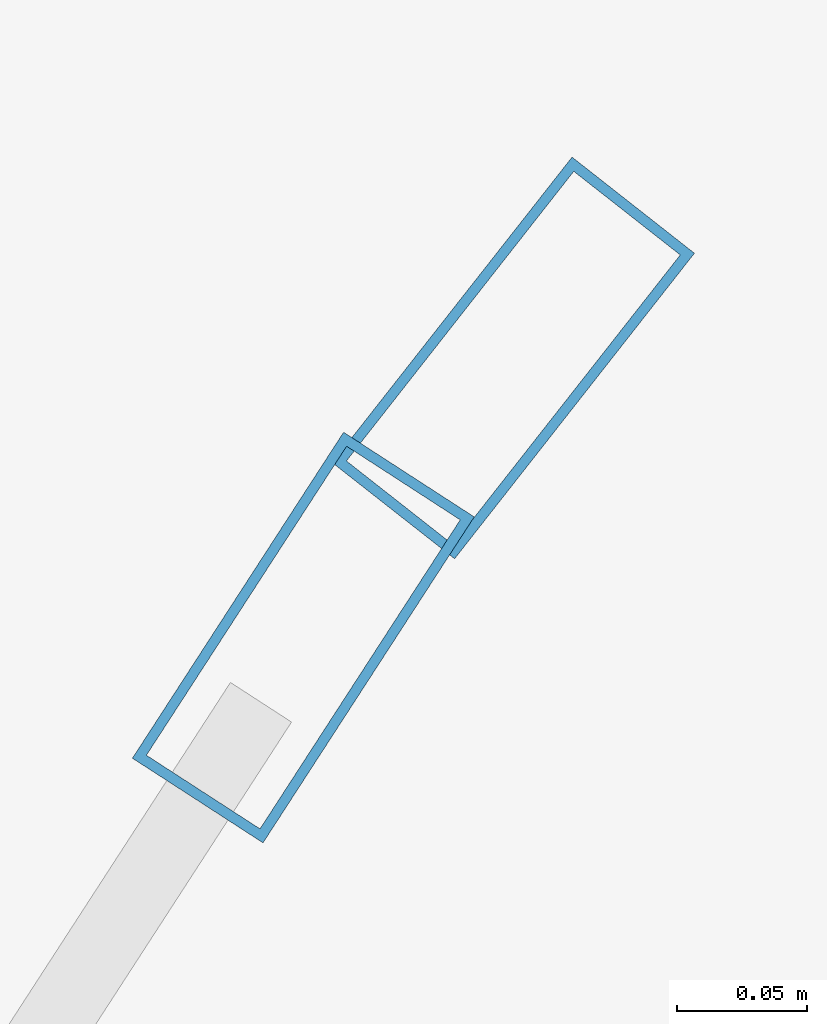
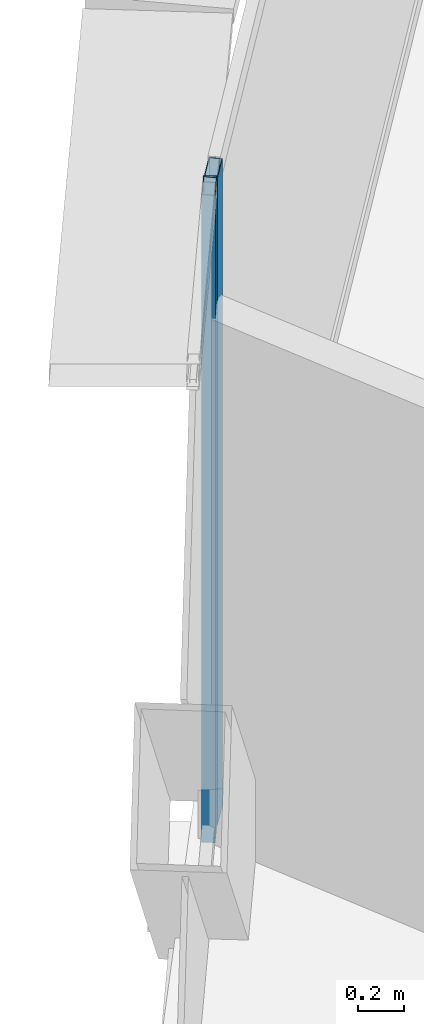
# One storey, part 18 of 42: 2 members, 2 elements without a shape of their own.
"""IFC4 building model written with IfcOpenShell, lengths in metres."""

from ifc_helpers import new_model, si_unit, direction, frame, origin, origin_2d, place, context, subcontext, project, spatial, hollow_rectangle, extrude, source, transform, mapped, material, layer, layer_set, material_profile, profile_set, type_object, element, aggregate, save


model = new_model("IFC4")

# Units and contexts
model_context = context("Model", 3, precision=1e-05, world=origin(), true_north=direction((0.0, 1.0)))
body_context = subcontext(model_context, "Body", "Model", "MODEL_VIEW")
ifc_project = project(units=[si_unit("LENGTHUNIT", "METRE"), si_unit("AREAUNIT", "SQUARE_METRE"), si_unit("VOLUMEUNIT", "CUBIC_METRE"), si_unit("PLANEANGLEUNIT", "RADIAN"), si_unit("MASSUNIT", "GRAM", prefix="KILO"), si_unit("THERMODYNAMICTEMPERATUREUNIT", "KELVIN"), si_unit("POWERUNIT", "WATT")], contexts=[model_context])

# Site, building, storey
site_placement = place(None, origin())
site = spatial("IfcSite", under=ifc_project, at=site_placement, CompositionType="ELEMENT")
building_placement = place(site_placement, origin())
building = spatial("IfcBuilding", under=site, at=building_placement, Name="Yunzhuo Pagoda Commons", CompositionType="ELEMENT")
storey_placement = place(building_placement, frame((0.0, 0.0, 129.830078125)))
storey = spatial("IfcBuildingStorey", under=building, at=storey_placement, Name="L32", CompositionType="ELEMENT", Elevation=129.830078125)

# Curtain wall, member
ifc_material = material(Name="Anodized aluminium 6063-T6", Category="aluminium")
ifc_layer = layer(ifc_material, 0.14990234375)
ifc_layer_set = layer_set([ifc_layer], Name="Anodized aluminium 6063-T6")
curtain_wall_type = type_object("IfcCurtainWallType", Name="CW-MID Mid-Zone Ribbon Curtain Wall", PredefinedType="NOTDEFINED", material=ifc_layer_set)
curtain_wall_1_placement = place(storey_placement, origin())
curtain_wall_1 = element("IfcCurtainWall", 1, at=curtain_wall_1_placement, inside=storey, type_object=curtain_wall_type, Name="L32 curtain wall CW-L32-F3B2", PredefinedType="NOTDEFINED")
ifc_material_profile = material_profile(ifc_material, hollow_rectangle(XDim=0.06005859375, YDim=0.14990234375, WallThickness=0.00390625, at=origin_2d()), Name="Anodized aluminium 6063-T6")
ifc_profile_set = profile_set([ifc_material_profile], Name="Anodized aluminium 6063-T6")
member_type = type_object("IfcMemberType", Name="CW-MID-M Mullion RHS 150x60x4", PredefinedType="MULLION", material=ifc_profile_set)
shared_shape = source(origin(), body_context, "Body", "SweptSolid", [
    extrude(hollow_rectangle(XDim=0.06005859375, YDim=0.14990234375, WallThickness=0.00390625, at=origin_2d()), origin(), (0.0, 0.0, 1.0), 3.419921875),
])
member_1_placement = place(storey_placement, frame((31.7490234375, 70.138427734375, 0.0), z_axis=(0.0, 0.0, 1.0), x_axis=(0.839249165596, -0.543747034977, 0.0)))
member_1 = element("IfcMember", 2, at=member_1_placement, type_object=member_type, Name="CW mullion 1", PredefinedType="MULLION", context=body_context, shape_type="MappedRepresentation", body=[
    mapped(shared_shape, transform((0.0, 0.0, 0.0), scale=1.0)),
])
aggregate(curtain_wall_1, [member_1])

curtain_wall_2_placement = place(storey_placement, origin())
curtain_wall_2 = element("IfcCurtainWall", 3, at=curtain_wall_2_placement, inside=storey, type_object=curtain_wall_type, Name="L32 curtain wall CW-L32-F3B1", PredefinedType="NOTDEFINED")
member_2_placement = place(storey_placement, frame((31.830078125, 70.246337890625, 0.0), z_axis=(0.0, 0.0, 1.0), x_axis=(0.786571576347, -0.617499113588, 0.0)))
member_2 = element("IfcMember", 4, at=member_2_placement, type_object=member_type, Name="CW mullion 2", PredefinedType="MULLION", context=body_context, shape_type="MappedRepresentation", body=[
    mapped(shared_shape, transform((0.0, 0.0, 0.0), scale=1.0)),
])
aggregate(curtain_wall_2, [member_2])

save(model, "model.ifc")
